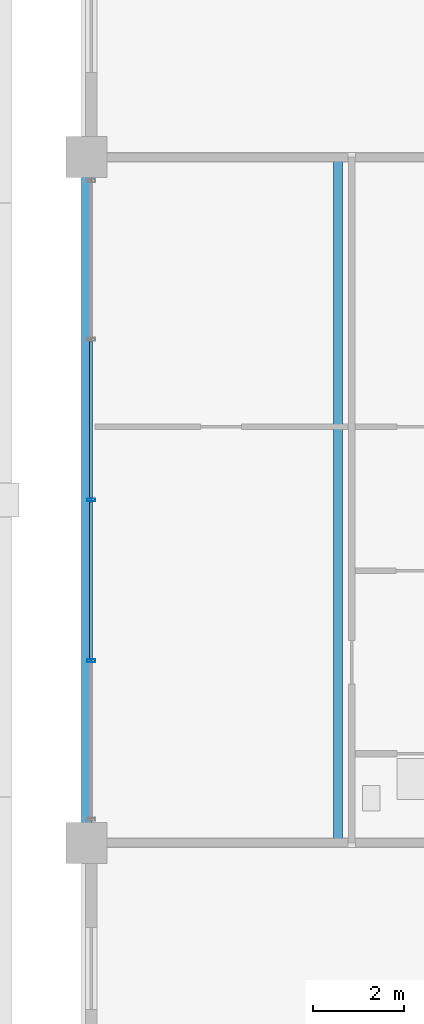
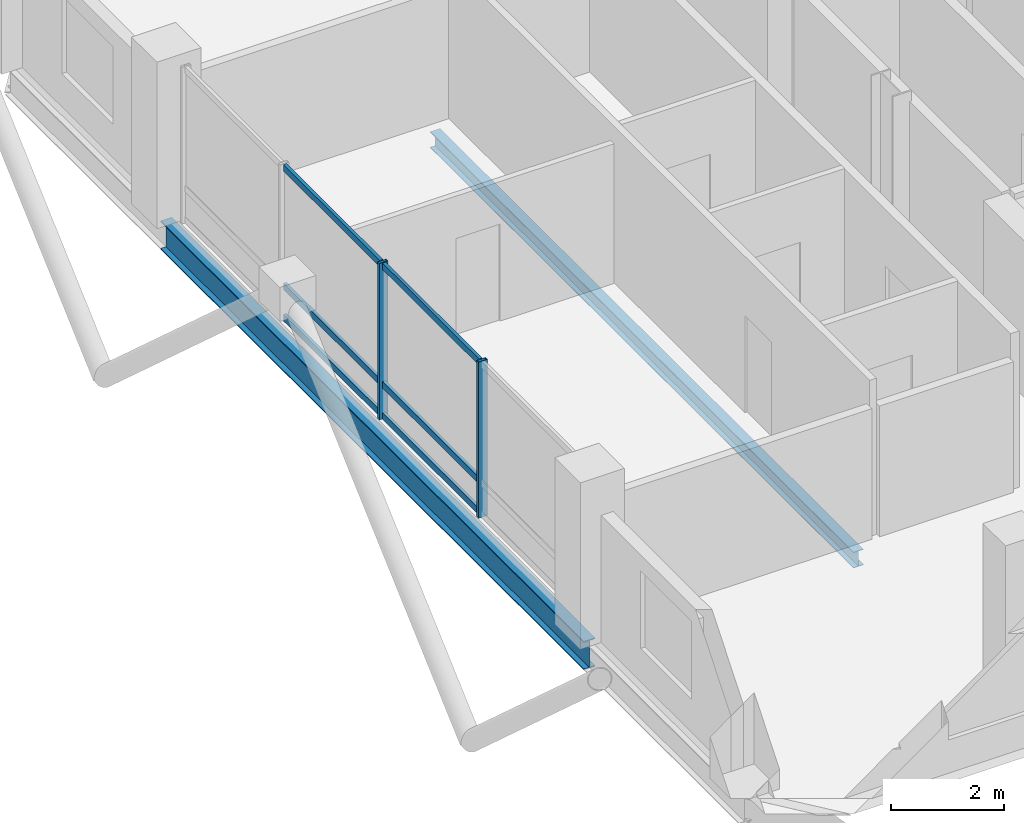
# One storey, part 7 of 24: 8 members, 2 beams, 1 element without a shape of its own.
"""IFC4 building model written with IfcOpenShell, lengths in metres."""

from ifc_helpers import new_model, si_unit, direction, frame, origin, origin_2d, place, context, subcontext, project, spatial, hollow_rectangle, i_section, extrude, material, layer, layer_set, material_profile, profile_set, type_object, element, aggregate, save


model = new_model("IFC4")

# Units and contexts
model_context = context("Model", 3, precision=1e-05, world=origin(), true_north=direction((0.0, 1.0)))
body_context = subcontext(model_context, "Body", "Model", "MODEL_VIEW")
ifc_project = project(units=[si_unit("LENGTHUNIT", "METRE"), si_unit("AREAUNIT", "SQUARE_METRE"), si_unit("VOLUMEUNIT", "CUBIC_METRE"), si_unit("PLANEANGLEUNIT", "RADIAN"), si_unit("MASSUNIT", "GRAM", prefix="KILO")], contexts=[model_context])

# Site, building, storey
site_placement = place(None, origin())
site = spatial("IfcSite", under=ifc_project, at=site_placement, CompositionType="ELEMENT")
building_placement = place(site_placement, origin())
building = spatial("IfcBuilding", under=site, at=building_placement, Name="Barlavira Tower and Art Museum", CompositionType="ELEMENT")
storey_placement = place(building_placement, frame((0.0, 0.0, 225.89990234375)))
storey = spatial("IfcBuildingStorey", under=building, at=storey_placement, Name="L58", CompositionType="ELEMENT", Elevation=225.89990234375)

# Curtain wall, members
ifc_material_1 = material(Name="Low-iron coastal laminated glass", Category="glass")
ifc_layer = layer(ifc_material_1, 0.2099609375, Name="Low-iron coastal laminated glass")
ifc_layer_set = layer_set([ifc_layer], Name="Low-iron coastal laminated glass")
curtain_wall_type = type_object("IfcCurtainWallType", Name="Pale-Metal Unitised Curtain Wall Zone 4", PredefinedType="NOTDEFINED", material=ifc_layer_set)
curtain_wall_placement = place(storey_placement, origin())
curtain_wall = element("IfcCurtainWall", 1, at=curtain_wall_placement, inside=storey, type_object=curtain_wall_type, Name="L58 Curtain Wall CW4-L58-W-B3", PredefinedType="NOTDEFINED")
ifc_material_2 = material(Name="Pale anodised aluminium", Category="aluminium")
ifc_material_profile_1 = material_profile(ifc_material_2, hollow_rectangle(XDim=0.06494140625, YDim=0.179931640625, WallThickness=0.00390625, at=origin_2d()), Name="ALU-MULL 65x180x4")
ifc_profile_set_1 = profile_set([ifc_material_profile_1], Name="Pale anodised aluminium")
member_type_1 = type_object("IfcMemberType", Name="Curtain Wall Pale-Metal Mullion 65x180", PredefinedType="MULLION", material=ifc_profile_set_1)
member_1_placement = place(storey_placement, frame((-16.89990234375, 0.0, 0.0), z_axis=(0.0, 0.0, 1.0), x_axis=(0.0, -1.0, 0.0)))
member_1 = element("IfcMember", 2, at=member_1_placement, type_object=member_type_1, Name="CW4-L58-W-B3 Mullion 2", PredefinedType="MULLION", context=body_context, shape_type="SweptSolid", body=[
    extrude(hollow_rectangle(XDim=0.06494140625, YDim=0.179931640625, WallThickness=0.00390625, at=origin_2d()), origin(), (0.0, 0.0, 1.0), 3.380126953125),
])
member_2_placement = place(storey_placement, frame((-16.89990234375, -3.514892578125, 0.0), z_axis=(0.0, 0.0, 1.0), x_axis=(0.0, -1.0, 0.0)))
member_2 = element("IfcMember", 3, at=member_2_placement, type_object=member_type_1, Name="CW4-L58-W-B3 Mullion 3", PredefinedType="MULLION", context=body_context, shape_type="SweptSolid", body=[
    extrude(hollow_rectangle(XDim=0.06494140625, YDim=0.179931640625, WallThickness=0.00390625, at=origin_2d()), origin(), (0.0, 0.0, 1.0), 3.380126953125),
])
ifc_material_profile_2 = material_profile(ifc_material_2, hollow_rectangle(XDim=0.06494140625, YDim=0.139892578125, WallThickness=0.00390625, at=origin_2d()), Name="ALU-TRAN 65x140x4")
ifc_profile_set_2 = profile_set([ifc_material_profile_2], Name="Pale anodised aluminium")
member_type_2 = type_object("IfcMemberType", Name="Curtain Wall Pale-Metal Transom 65x140", PredefinedType="USERDEFINED", material=ifc_profile_set_2)
member_3_placement = place(storey_placement, frame((-16.89990234375, 3.469970703125, 0.070068359375), z_axis=(0.0, -1.0, 0.0), x_axis=(1.0, 0.0, 0.0)))
member_3 = element("IfcMember", 4, at=member_3_placement, type_object=member_type_2, Name="CW4-L58-W-B3 Transom 1.1", ObjectType="TRANSOM", PredefinedType="USERDEFINED", context=body_context, shape_type="SweptSolid", body=[
    extrude(hollow_rectangle(XDim=0.06494140625, YDim=0.139892578125, WallThickness=0.00390625, at=origin_2d()), origin(), (0.0, 0.0, 1.0), 3.425048828125),
])
member_4_placement = place(storey_placement, frame((-16.89990234375, 3.469970703125, 0.744140625), z_axis=(0.0, -1.0, 0.0), x_axis=(1.0, 0.0, 0.0)))
member_4 = element("IfcMember", 5, at=member_4_placement, type_object=member_type_2, Name="CW4-L58-W-B3 Transom 1.2", ObjectType="TRANSOM", PredefinedType="USERDEFINED", context=body_context, shape_type="SweptSolid", body=[
    extrude(hollow_rectangle(XDim=0.06494140625, YDim=0.139892578125, WallThickness=0.00390625, at=origin_2d()), origin(), (0.0, 0.0, 1.0), 3.425048828125),
])
member_5_placement = place(storey_placement, frame((-16.89990234375, 3.469970703125, 3.31005859375), z_axis=(0.0, -1.0, 0.0), x_axis=(1.0, 0.0, 0.0)))
member_5 = element("IfcMember", 6, at=member_5_placement, type_object=member_type_2, Name="CW4-L58-W-B3 Transom 1.3", ObjectType="TRANSOM", PredefinedType="USERDEFINED", context=body_context, shape_type="SweptSolid", body=[
    extrude(hollow_rectangle(XDim=0.06494140625, YDim=0.139892578125, WallThickness=0.00390625, at=origin_2d()), origin(), (0.0, 0.0, 1.0), 3.425048828125),
])
member_6_placement = place(storey_placement, frame((-16.89990234375, -0.044921875, 0.070068359375), z_axis=(0.0, -1.0, 0.0), x_axis=(1.0, 0.0, 0.0)))
member_6 = element("IfcMember", 7, at=member_6_placement, type_object=member_type_2, Name="CW4-L58-W-B3 Transom 2.1", ObjectType="TRANSOM", PredefinedType="USERDEFINED", context=body_context, shape_type="SweptSolid", body=[
    extrude(hollow_rectangle(XDim=0.06494140625, YDim=0.139892578125, WallThickness=0.00390625, at=origin_2d()), origin(), (0.0, 0.0, 1.0), 3.425048828125),
])
member_7_placement = place(storey_placement, frame((-16.89990234375, -0.044921875, 0.744140625), z_axis=(0.0, -1.0, 0.0), x_axis=(1.0, 0.0, 0.0)))
member_7 = element("IfcMember", 8, at=member_7_placement, type_object=member_type_2, Name="CW4-L58-W-B3 Transom 2.2", ObjectType="TRANSOM", PredefinedType="USERDEFINED", context=body_context, shape_type="SweptSolid", body=[
    extrude(hollow_rectangle(XDim=0.06494140625, YDim=0.139892578125, WallThickness=0.00390625, at=origin_2d()), origin(), (0.0, 0.0, 1.0), 3.425048828125),
])
member_8_placement = place(storey_placement, frame((-16.89990234375, -0.044921875, 3.31005859375), z_axis=(0.0, -1.0, 0.0), x_axis=(1.0, 0.0, 0.0)))
member_8 = element("IfcMember", 9, at=member_8_placement, type_object=member_type_2, Name="CW4-L58-W-B3 Transom 2.3", ObjectType="TRANSOM", PredefinedType="USERDEFINED", context=body_context, shape_type="SweptSolid", body=[
    extrude(hollow_rectangle(XDim=0.06494140625, YDim=0.139892578125, WallThickness=0.00390625, at=origin_2d()), origin(), (0.0, 0.0, 1.0), 3.425048828125),
])
aggregate(curtain_wall, [member_1, member_2, member_3, member_4, member_5, member_6, member_7, member_8])

# Beams
ifc_material_3 = material(Name="Steel S355", Category="steel")
ifc_material_profile_3 = material_profile(ifc_material_3, i_section(OverallWidth=0.22998046875, OverallDepth=0.616943359375, WebThickness=0.01318359375, FlangeThickness=0.022216796875, at=origin_2d()), Name="W610x140.0")
ifc_profile_set_3 = profile_set([ifc_material_profile_3], Name="Steel S355")
beam_type_1 = type_object("IfcBeamType", Name="Upper Shaft Spandrel Edge Beam W610x140 Steel S355", PredefinedType="SPANDREL", material=ifc_profile_set_3)
beam_1_placement = place(storey_placement, frame((-17.0, -7.5, -0.5283203125), z_axis=(0.0, 1.0, 0.0), x_axis=(-1.0, 0.0, 0.0)))
element("IfcBeam", 10, at=beam_1_placement, inside=storey, type_object=beam_type_1, Name="L58 Spandrel 14", PredefinedType="SPANDREL", context=body_context, shape_type="SweptSolid", body=[
    extrude(i_section(OverallWidth=0.22998046875, OverallDepth=0.616943359375, WebThickness=0.01318359375, FlangeThickness=0.022216796875, at=origin_2d()), origin(), (0.0, 0.0, 1.0), 15.0),
])
ifc_material_profile_4 = material_profile(ifc_material_3, i_section(OverallWidth=0.202880859375, OverallDepth=0.346923828125, WebThickness=0.0078125, FlangeThickness=0.013427734375, at=origin_2d()), Name="W360x64.0")
ifc_profile_set_4 = profile_set([ifc_material_profile_4], Name="Steel S355")
beam_type_2 = type_object("IfcBeamType", Name="Zone 4 Composite Floor Joist W360x64 Steel S355", PredefinedType="JOIST", material=ifc_profile_set_4)
beam_2_placement = place(storey_placement, frame((-11.5, -7.5, -0.393310546875), z_axis=(0.0, 1.0, 0.0), x_axis=(-1.0, 0.0, 0.0)))
element("IfcBeam", 11, at=beam_2_placement, inside=storey, type_object=beam_type_2, Name="L58 Joist W1", PredefinedType="JOIST", context=body_context, shape_type="SweptSolid", body=[
    extrude(i_section(OverallWidth=0.202880859375, OverallDepth=0.346923828125, WebThickness=0.0078125, FlangeThickness=0.013427734375, at=origin_2d()), origin(), (0.0, 0.0, 1.0), 15.0),
])

save(model, "model.ifc")
